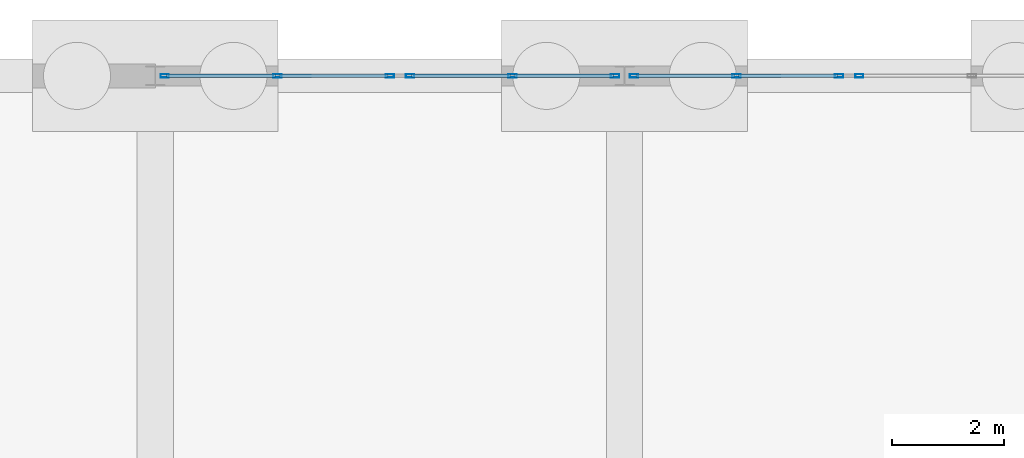
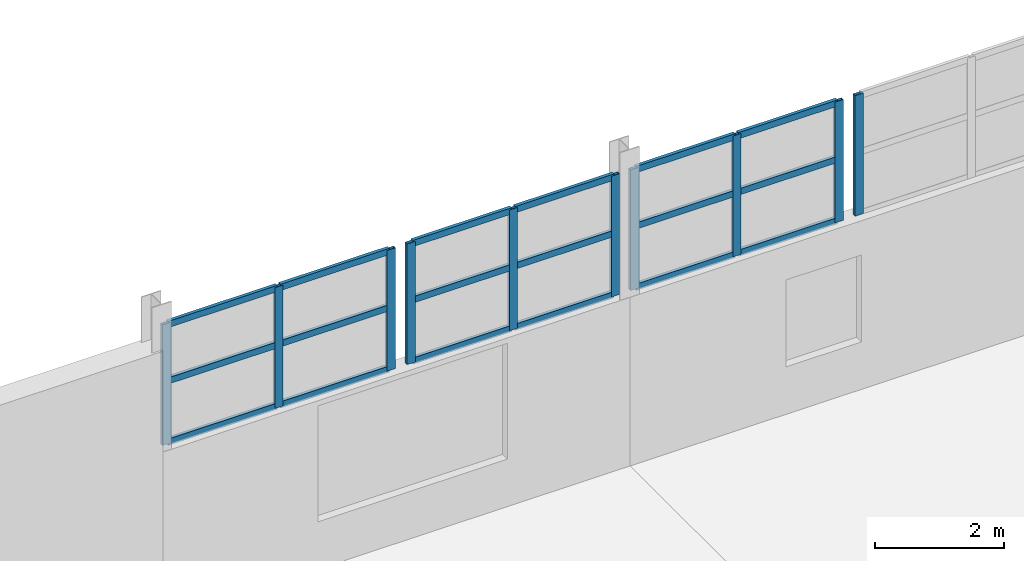
# One storey, part 94 of 139: 28 members, 4 elements without a shape of their own.
"""IFC4 building model written with IfcOpenShell, lengths in metres."""

from ifc_helpers import new_model, si_unit, direction, frame, origin, origin_2d, place, context, subcontext, project, spatial, hollow_rectangle, extrude, material, material_profile, profile_set, type_object, element, aggregate, save


model = new_model("IFC4")

# Units and contexts
model_context = context("Model", 3, precision=1e-05, world=origin(), true_north=direction((0.0, 1.0)))
body_context = subcontext(model_context, "Body", "Model", "MODEL_VIEW")
ifc_project = project(units=[si_unit("LENGTHUNIT", "METRE"), si_unit("AREAUNIT", "SQUARE_METRE"), si_unit("VOLUMEUNIT", "CUBIC_METRE"), si_unit("PLANEANGLEUNIT", "RADIAN"), si_unit("MASSUNIT", "GRAM", prefix="KILO")], contexts=[model_context])

# Site, building, storey
site_placement = place(None, origin())
site = spatial("IfcSite", under=ifc_project, at=site_placement, CompositionType="ELEMENT")
building_placement = place(site_placement, origin())
building = spatial("IfcBuilding", under=site, at=building_placement, Name="Kazenagashi Tramway Depot", CompositionType="ELEMENT")
storey_placement = place(building_placement, origin())
storey = spatial("IfcBuildingStorey", under=building, at=storey_placement, Name="L01", CompositionType="ELEMENT", Elevation=0.0)

# Curtain wall, members
ifc_material_1 = material(Name="Anodised Aluminium and Low-E Glazing", Category="aluminium")
curtain_wall_type_1 = type_object("IfcCurtainWallType", Name="CW-16", PredefinedType="USERDEFINED", material=ifc_material_1)
curtain_wall_1_placement = place(storey_placement, origin())
curtain_wall_1 = element("IfcCurtainWall", 1, at=curtain_wall_1_placement, inside=storey, type_object=curtain_wall_type_1, Name="Industrial Glazed Screen CW-16 CW-0060", ObjectType="GLAZED SCREEN", PredefinedType="USERDEFINED")
ifc_material_2 = material(Name="Anodised Aluminium", Category="aluminium")
ifc_material_profile_1 = material_profile(ifc_material_2, hollow_rectangle(XDim=0.06, YDim=0.15, WallThickness=0.004, at=origin_2d()), Name="RHS-150x60x4")
ifc_profile_set_1 = profile_set([ifc_material_profile_1], Name="Anodised Aluminium")
member_type_1 = type_object("IfcMemberType", Name="ML-01", PredefinedType="MULLION", material=ifc_profile_set_1)
member_1_placement = place(storey_placement, frame((70.17, 130.0, 3.2), z_axis=(0.0, 0.0, 1.0), x_axis=(0.0, 1.0, 0.0)))
member_1 = element("IfcMember", 2, at=member_1_placement, type_object=member_type_1, Name="CW-16 mullion 1", PredefinedType="MULLION", context=body_context, shape_type="SweptSolid", body=[
    extrude(hollow_rectangle(XDim=0.06, YDim=0.15, WallThickness=0.004, at=origin_2d()), origin(), (0.0, 0.0, 1.0), 2.292),
])
member_2_placement = place(storey_placement, frame((72.185, 130.0, 3.2), z_axis=(0.0, 0.0, 1.0), x_axis=(0.0, 1.0, 0.0)))
member_2 = element("IfcMember", 3, at=member_2_placement, type_object=member_type_1, Name="CW-16 mullion 2", PredefinedType="MULLION", context=body_context, shape_type="SweptSolid", body=[
    extrude(hollow_rectangle(XDim=0.06, YDim=0.15, WallThickness=0.004, at=origin_2d()), origin(), (0.0, 0.0, 1.0), 2.292),
])
member_3_placement = place(storey_placement, frame((74.2, 130.0, 3.2), z_axis=(0.0, 0.0, 1.0), x_axis=(0.0, 1.0, 0.0)))
member_3 = element("IfcMember", 4, at=member_3_placement, type_object=member_type_1, Name="CW-16 mullion 3", PredefinedType="MULLION", context=body_context, shape_type="SweptSolid", body=[
    extrude(hollow_rectangle(XDim=0.06, YDim=0.15, WallThickness=0.004, at=origin_2d()), origin(), (0.0, 0.0, 1.0), 2.292),
])

curtain_wall_type_2 = type_object("IfcCurtainWallType", Name="CW-17", PredefinedType="USERDEFINED", material=ifc_material_1)
curtain_wall_2_placement = place(storey_placement, origin())
curtain_wall_2 = element("IfcCurtainWall", 5, at=curtain_wall_2_placement, inside=storey, type_object=curtain_wall_type_2, Name="Industrial Glazed Screen CW-17 CW-0061", ObjectType="GLAZED SCREEN", PredefinedType="USERDEFINED")
member_4_placement = place(storey_placement, frame((74.56, 130.0, 3.2), z_axis=(0.0, 0.0, 1.0), x_axis=(0.0, 1.0, 0.0)))
member_4 = element("IfcMember", 6, at=member_4_placement, type_object=member_type_1, Name="CW-17 mullion 1", PredefinedType="MULLION", context=body_context, shape_type="SweptSolid", body=[
    extrude(hollow_rectangle(XDim=0.06, YDim=0.15, WallThickness=0.004, at=origin_2d()), origin(), (0.0, 0.0, 1.0), 2.292),
])
member_5_placement = place(storey_placement, frame((76.395, 130.0, 3.2), z_axis=(0.0, 0.0, 1.0), x_axis=(0.0, 1.0, 0.0)))
member_5 = element("IfcMember", 7, at=member_5_placement, type_object=member_type_1, Name="CW-17 mullion 2", PredefinedType="MULLION", context=body_context, shape_type="SweptSolid", body=[
    extrude(hollow_rectangle(XDim=0.06, YDim=0.15, WallThickness=0.004, at=origin_2d()), origin(), (0.0, 0.0, 1.0), 2.292),
])
member_6_placement = place(storey_placement, frame((78.23, 130.0, 3.2), z_axis=(0.0, 0.0, 1.0), x_axis=(0.0, 1.0, 0.0)))
member_6 = element("IfcMember", 8, at=member_6_placement, type_object=member_type_1, Name="CW-17 mullion 3", PredefinedType="MULLION", context=body_context, shape_type="SweptSolid", body=[
    extrude(hollow_rectangle(XDim=0.06, YDim=0.15, WallThickness=0.004, at=origin_2d()), origin(), (0.0, 0.0, 1.0), 2.292),
])

curtain_wall_3_placement = place(storey_placement, origin())
curtain_wall_3 = element("IfcCurtainWall", 9, at=curtain_wall_3_placement, inside=storey, type_object=curtain_wall_type_2, Name="Industrial Glazed Screen CW-17 CW-0063", ObjectType="GLAZED SCREEN", PredefinedType="USERDEFINED")
member_7_placement = place(storey_placement, frame((78.57, 130.0, 3.2), z_axis=(0.0, 0.0, 1.0), x_axis=(0.0, 1.0, 0.0)))
member_7 = element("IfcMember", 10, at=member_7_placement, type_object=member_type_1, Name="CW-17 mullion 1", PredefinedType="MULLION", context=body_context, shape_type="SweptSolid", body=[
    extrude(hollow_rectangle(XDim=0.06, YDim=0.15, WallThickness=0.004, at=origin_2d()), origin(), (0.0, 0.0, 1.0), 2.292),
])
member_8_placement = place(storey_placement, frame((80.405, 130.0, 3.2), z_axis=(0.0, 0.0, 1.0), x_axis=(0.0, 1.0, 0.0)))
member_8 = element("IfcMember", 11, at=member_8_placement, type_object=member_type_1, Name="CW-17 mullion 2", PredefinedType="MULLION", context=body_context, shape_type="SweptSolid", body=[
    extrude(hollow_rectangle(XDim=0.06, YDim=0.15, WallThickness=0.004, at=origin_2d()), origin(), (0.0, 0.0, 1.0), 2.292),
])
member_9_placement = place(storey_placement, frame((82.24, 130.0, 3.2), z_axis=(0.0, 0.0, 1.0), x_axis=(0.0, 1.0, 0.0)))
member_9 = element("IfcMember", 12, at=member_9_placement, type_object=member_type_1, Name="CW-17 mullion 3", PredefinedType="MULLION", context=body_context, shape_type="SweptSolid", body=[
    extrude(hollow_rectangle(XDim=0.06, YDim=0.15, WallThickness=0.004, at=origin_2d()), origin(), (0.0, 0.0, 1.0), 2.292),
])

# Curtain wall, member
curtain_wall_4_placement = place(storey_placement, origin())
curtain_wall_4 = element("IfcCurtainWall", 13, at=curtain_wall_4_placement, inside=storey, type_object=curtain_wall_type_1, Name="Industrial Glazed Screen CW-16 CW-0064", ObjectType="GLAZED SCREEN", PredefinedType="USERDEFINED")
member_10_placement = place(storey_placement, frame((82.6, 130.0, 3.2), z_axis=(0.0, 0.0, 1.0), x_axis=(0.0, 1.0, 0.0)))
member_10 = element("IfcMember", 14, at=member_10_placement, type_object=member_type_1, Name="CW-16 mullion 1", PredefinedType="MULLION", context=body_context, shape_type="SweptSolid", body=[
    extrude(hollow_rectangle(XDim=0.06, YDim=0.15, WallThickness=0.004, at=origin_2d()), origin(), (0.0, 0.0, 1.0), 2.292),
])
aggregate(curtain_wall_4, [member_10])

# Member
ifc_material_profile_2 = material_profile(ifc_material_2, hollow_rectangle(XDim=0.06, YDim=0.12, WallThickness=0.004, at=origin_2d()), Name="RHS-120x60x4")
ifc_profile_set_2 = profile_set([ifc_material_profile_2], Name="Anodised Aluminium")
member_type_2 = type_object("IfcMemberType", Name="TR-01", PredefinedType="USERDEFINED", material=ifc_profile_set_2)
member_11_placement = place(storey_placement, frame((70.2, 130.0, 3.23), z_axis=(1.0, 0.0, 0.0), x_axis=(0.0, 1.0, 0.0)))
member_11 = element("IfcMember", 15, at=member_11_placement, type_object=member_type_2, Name="CW-16 transom 1.1", ObjectType="TRANSOM", PredefinedType="USERDEFINED", context=body_context, shape_type="SweptSolid", body=[
    extrude(hollow_rectangle(XDim=0.06, YDim=0.12, WallThickness=0.004, at=origin_2d()), origin(), (0.0, 0.0, 1.0), 1.955),
])

member_12_placement = place(storey_placement, frame((70.2, 130.0, 4.392), z_axis=(1.0, 0.0, 0.0), x_axis=(0.0, 1.0, 0.0)))
member_12 = element("IfcMember", 16, at=member_12_placement, type_object=member_type_2, Name="CW-16 transom 1.2", ObjectType="TRANSOM", PredefinedType="USERDEFINED", context=body_context, shape_type="SweptSolid", body=[
    extrude(hollow_rectangle(XDim=0.06, YDim=0.12, WallThickness=0.004, at=origin_2d()), origin(), (0.0, 0.0, 1.0), 1.955),
])

member_13_placement = place(storey_placement, frame((70.2, 130.0, 5.462), z_axis=(1.0, 0.0, 0.0), x_axis=(0.0, 1.0, 0.0)))
member_13 = element("IfcMember", 17, at=member_13_placement, type_object=member_type_2, Name="CW-16 transom 1.3", ObjectType="TRANSOM", PredefinedType="USERDEFINED", context=body_context, shape_type="SweptSolid", body=[
    extrude(hollow_rectangle(XDim=0.06, YDim=0.12, WallThickness=0.004, at=origin_2d()), origin(), (0.0, 0.0, 1.0), 1.955),
])

member_14_placement = place(storey_placement, frame((72.215, 130.0, 3.23), z_axis=(1.0, 0.0, 0.0), x_axis=(0.0, 1.0, 0.0)))
member_14 = element("IfcMember", 18, at=member_14_placement, type_object=member_type_2, Name="CW-16 transom 2.1", ObjectType="TRANSOM", PredefinedType="USERDEFINED", context=body_context, shape_type="SweptSolid", body=[
    extrude(hollow_rectangle(XDim=0.06, YDim=0.12, WallThickness=0.004, at=origin_2d()), origin(), (0.0, 0.0, 1.0), 1.955),
])

member_15_placement = place(storey_placement, frame((72.215, 130.0, 4.392), z_axis=(1.0, 0.0, 0.0), x_axis=(0.0, 1.0, 0.0)))
member_15 = element("IfcMember", 19, at=member_15_placement, type_object=member_type_2, Name="CW-16 transom 2.2", ObjectType="TRANSOM", PredefinedType="USERDEFINED", context=body_context, shape_type="SweptSolid", body=[
    extrude(hollow_rectangle(XDim=0.06, YDim=0.12, WallThickness=0.004, at=origin_2d()), origin(), (0.0, 0.0, 1.0), 1.955),
])

member_16_placement = place(storey_placement, frame((72.215, 130.0, 5.462), z_axis=(1.0, 0.0, 0.0), x_axis=(0.0, 1.0, 0.0)))
member_16 = element("IfcMember", 20, at=member_16_placement, type_object=member_type_2, Name="CW-16 transom 2.3", ObjectType="TRANSOM", PredefinedType="USERDEFINED", context=body_context, shape_type="SweptSolid", body=[
    extrude(hollow_rectangle(XDim=0.06, YDim=0.12, WallThickness=0.004, at=origin_2d()), origin(), (0.0, 0.0, 1.0), 1.955),
])

aggregate(curtain_wall_1, [member_1, member_2, member_3, member_11, member_12, member_13, member_14, member_15, member_16])

member_17_placement = place(storey_placement, frame((74.59, 130.0, 3.23), z_axis=(1.0, 0.0, 0.0), x_axis=(0.0, 1.0, 0.0)))
member_17 = element("IfcMember", 21, at=member_17_placement, type_object=member_type_2, Name="CW-17 transom 1.1", ObjectType="TRANSOM", PredefinedType="USERDEFINED", context=body_context, shape_type="SweptSolid", body=[
    extrude(hollow_rectangle(XDim=0.06, YDim=0.12, WallThickness=0.004, at=origin_2d()), origin(), (0.0, 0.0, 1.0), 1.775),
])

member_18_placement = place(storey_placement, frame((74.59, 130.0, 4.392), z_axis=(1.0, 0.0, 0.0), x_axis=(0.0, 1.0, 0.0)))
member_18 = element("IfcMember", 22, at=member_18_placement, type_object=member_type_2, Name="CW-17 transom 1.2", ObjectType="TRANSOM", PredefinedType="USERDEFINED", context=body_context, shape_type="SweptSolid", body=[
    extrude(hollow_rectangle(XDim=0.06, YDim=0.12, WallThickness=0.004, at=origin_2d()), origin(), (0.0, 0.0, 1.0), 1.775),
])

member_19_placement = place(storey_placement, frame((74.59, 130.0, 5.462), z_axis=(1.0, 0.0, 0.0), x_axis=(0.0, 1.0, 0.0)))
member_19 = element("IfcMember", 23, at=member_19_placement, type_object=member_type_2, Name="CW-17 transom 1.3", ObjectType="TRANSOM", PredefinedType="USERDEFINED", context=body_context, shape_type="SweptSolid", body=[
    extrude(hollow_rectangle(XDim=0.06, YDim=0.12, WallThickness=0.004, at=origin_2d()), origin(), (0.0, 0.0, 1.0), 1.775),
])

member_20_placement = place(storey_placement, frame((76.425, 130.0, 3.23), z_axis=(1.0, 0.0, 0.0), x_axis=(0.0, 1.0, 0.0)))
member_20 = element("IfcMember", 24, at=member_20_placement, type_object=member_type_2, Name="CW-17 transom 2.1", ObjectType="TRANSOM", PredefinedType="USERDEFINED", context=body_context, shape_type="SweptSolid", body=[
    extrude(hollow_rectangle(XDim=0.06, YDim=0.12, WallThickness=0.004, at=origin_2d()), origin(), (0.0, 0.0, 1.0), 1.775),
])

member_21_placement = place(storey_placement, frame((76.425, 130.0, 4.392), z_axis=(1.0, 0.0, 0.0), x_axis=(0.0, 1.0, 0.0)))
member_21 = element("IfcMember", 25, at=member_21_placement, type_object=member_type_2, Name="CW-17 transom 2.2", ObjectType="TRANSOM", PredefinedType="USERDEFINED", context=body_context, shape_type="SweptSolid", body=[
    extrude(hollow_rectangle(XDim=0.06, YDim=0.12, WallThickness=0.004, at=origin_2d()), origin(), (0.0, 0.0, 1.0), 1.775),
])

member_22_placement = place(storey_placement, frame((76.425, 130.0, 5.462), z_axis=(1.0, 0.0, 0.0), x_axis=(0.0, 1.0, 0.0)))
member_22 = element("IfcMember", 26, at=member_22_placement, type_object=member_type_2, Name="CW-17 transom 2.3", ObjectType="TRANSOM", PredefinedType="USERDEFINED", context=body_context, shape_type="SweptSolid", body=[
    extrude(hollow_rectangle(XDim=0.06, YDim=0.12, WallThickness=0.004, at=origin_2d()), origin(), (0.0, 0.0, 1.0), 1.775),
])

aggregate(curtain_wall_2, [member_4, member_5, member_6, member_17, member_18, member_19, member_20, member_21, member_22])

member_23_placement = place(storey_placement, frame((78.6, 130.0, 3.23), z_axis=(1.0, 0.0, 0.0), x_axis=(0.0, 1.0, 0.0)))
member_23 = element("IfcMember", 27, at=member_23_placement, type_object=member_type_2, Name="CW-17 transom 1.1", ObjectType="TRANSOM", PredefinedType="USERDEFINED", context=body_context, shape_type="SweptSolid", body=[
    extrude(hollow_rectangle(XDim=0.06, YDim=0.12, WallThickness=0.004, at=origin_2d()), origin(), (0.0, 0.0, 1.0), 1.775),
])

member_24_placement = place(storey_placement, frame((78.6, 130.0, 4.392), z_axis=(1.0, 0.0, 0.0), x_axis=(0.0, 1.0, 0.0)))
member_24 = element("IfcMember", 28, at=member_24_placement, type_object=member_type_2, Name="CW-17 transom 1.2", ObjectType="TRANSOM", PredefinedType="USERDEFINED", context=body_context, shape_type="SweptSolid", body=[
    extrude(hollow_rectangle(XDim=0.06, YDim=0.12, WallThickness=0.004, at=origin_2d()), origin(), (0.0, 0.0, 1.0), 1.775),
])

member_25_placement = place(storey_placement, frame((78.6, 130.0, 5.462), z_axis=(1.0, 0.0, 0.0), x_axis=(0.0, 1.0, 0.0)))
member_25 = element("IfcMember", 29, at=member_25_placement, type_object=member_type_2, Name="CW-17 transom 1.3", ObjectType="TRANSOM", PredefinedType="USERDEFINED", context=body_context, shape_type="SweptSolid", body=[
    extrude(hollow_rectangle(XDim=0.06, YDim=0.12, WallThickness=0.004, at=origin_2d()), origin(), (0.0, 0.0, 1.0), 1.775),
])

member_26_placement = place(storey_placement, frame((80.435, 130.0, 3.23), z_axis=(1.0, 0.0, 0.0), x_axis=(0.0, 1.0, 0.0)))
member_26 = element("IfcMember", 30, at=member_26_placement, type_object=member_type_2, Name="CW-17 transom 2.1", ObjectType="TRANSOM", PredefinedType="USERDEFINED", context=body_context, shape_type="SweptSolid", body=[
    extrude(hollow_rectangle(XDim=0.06, YDim=0.12, WallThickness=0.004, at=origin_2d()), origin(), (0.0, 0.0, 1.0), 1.775),
])

member_27_placement = place(storey_placement, frame((80.435, 130.0, 4.392), z_axis=(1.0, 0.0, 0.0), x_axis=(0.0, 1.0, 0.0)))
member_27 = element("IfcMember", 31, at=member_27_placement, type_object=member_type_2, Name="CW-17 transom 2.2", ObjectType="TRANSOM", PredefinedType="USERDEFINED", context=body_context, shape_type="SweptSolid", body=[
    extrude(hollow_rectangle(XDim=0.06, YDim=0.12, WallThickness=0.004, at=origin_2d()), origin(), (0.0, 0.0, 1.0), 1.775),
])

member_28_placement = place(storey_placement, frame((80.435, 130.0, 5.462), z_axis=(1.0, 0.0, 0.0), x_axis=(0.0, 1.0, 0.0)))
member_28 = element("IfcMember", 32, at=member_28_placement, type_object=member_type_2, Name="CW-17 transom 2.3", ObjectType="TRANSOM", PredefinedType="USERDEFINED", context=body_context, shape_type="SweptSolid", body=[
    extrude(hollow_rectangle(XDim=0.06, YDim=0.12, WallThickness=0.004, at=origin_2d()), origin(), (0.0, 0.0, 1.0), 1.775),
])

aggregate(curtain_wall_3, [member_7, member_8, member_9, member_23, member_24, member_25, member_26, member_27, member_28])

save(model, "model.ifc")
